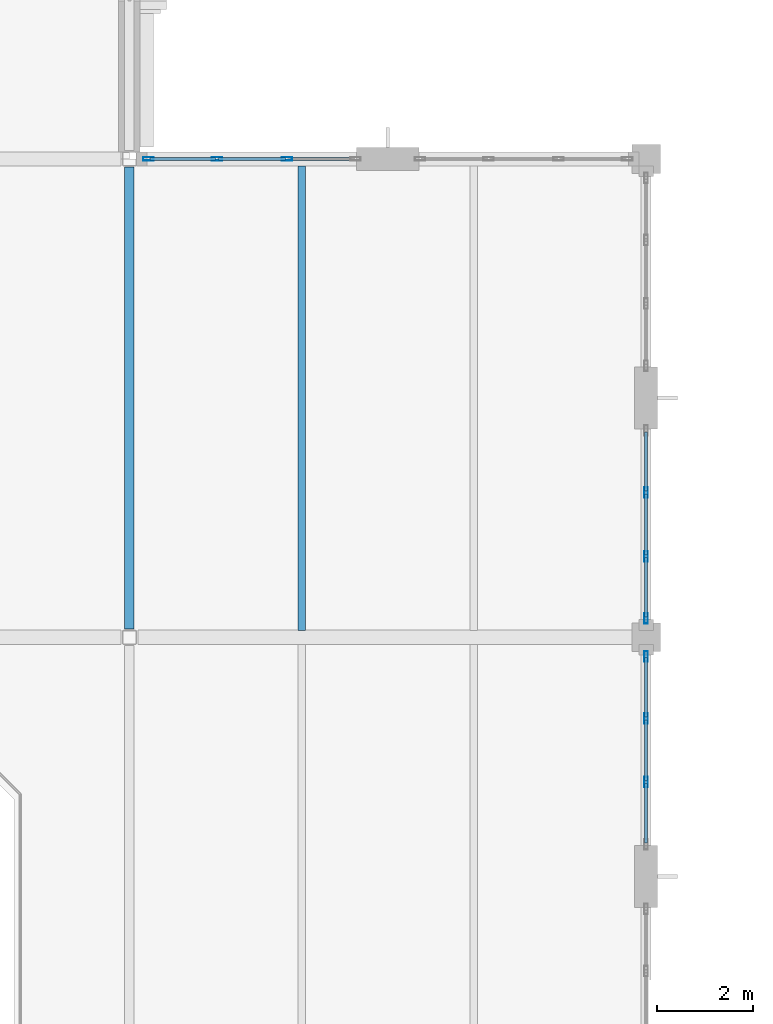
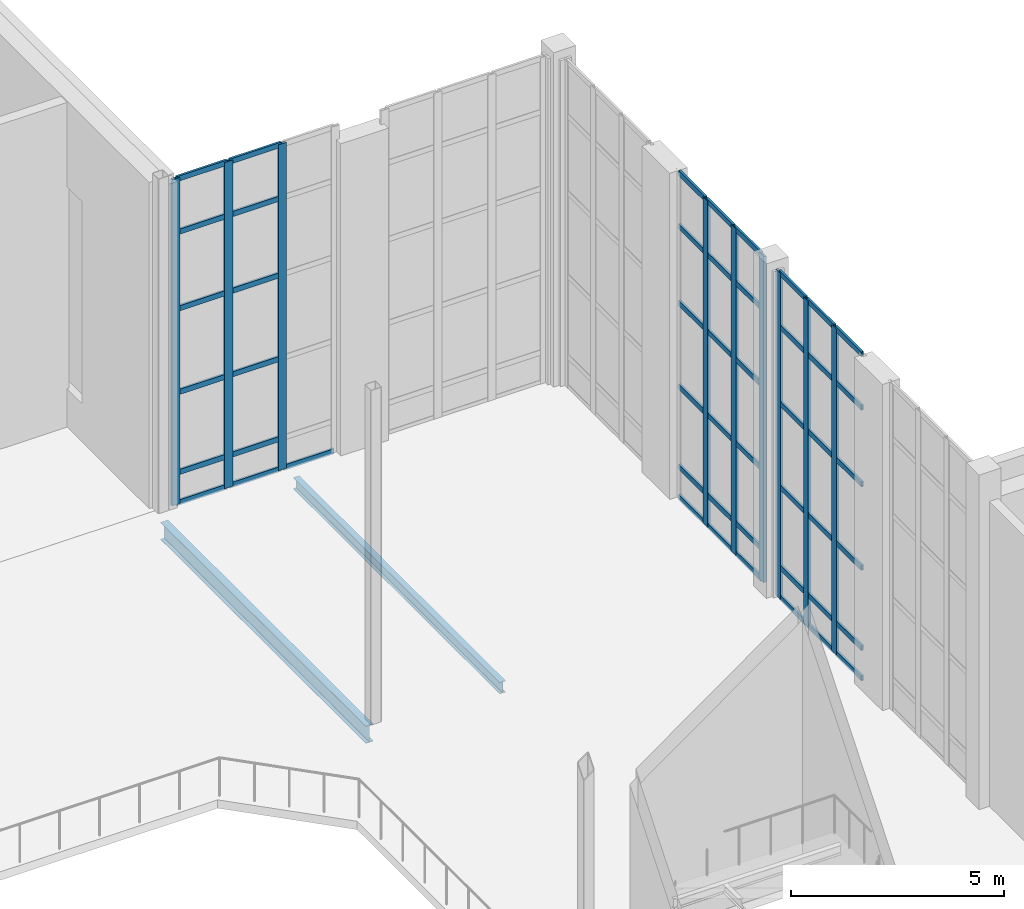
# One storey, part 42 of 100: 58 members, 2 beams, 3 elements without a shape of their own.
"""IFC4 building model written with IfcOpenShell, lengths in metres."""

from ifc_helpers import new_model, si_unit, direction, frame, origin, origin_2d, place, context, subcontext, project, spatial, hollow_rectangle, i_section, extrude, material, layer, layer_set, material_profile, profile_set, type_object, element, aggregate, save


model = new_model("IFC4")

# Units and contexts
model_context = context("Model", 3, precision=1e-05, world=origin(), true_north=direction((0.0, 1.0)))
body_context = subcontext(model_context, "Body", "Model", "MODEL_VIEW")
ifc_project = project(units=[si_unit("LENGTHUNIT", "METRE"), si_unit("AREAUNIT", "SQUARE_METRE"), si_unit("VOLUMEUNIT", "CUBIC_METRE"), si_unit("PLANEANGLEUNIT", "RADIAN"), si_unit("MASSUNIT", "GRAM", prefix="KILO")], contexts=[model_context])

# Site, building, storey
site_placement = place(None, origin())
site = spatial("IfcSite", under=ifc_project, at=site_placement, CompositionType="ELEMENT")
building_placement = place(site_placement, origin())
building = spatial("IfcBuilding", under=site, at=building_placement, Name="Tasgan Crest Museum", CompositionType="ELEMENT")
storey_placement = place(building_placement, frame((0.0, 0.0, 14.39990234375)))
storey = spatial("IfcBuildingStorey", under=building, at=storey_placement, Name="L03", CompositionType="ELEMENT", Elevation=14.39990234375)

# Beams
ifc_material_1 = material(Name="Steel S355J2", Category="steel")
ifc_material_profile_1 = material_profile(ifc_material_1, i_section(OverallWidth=0.199951171875, OverallDepth=0.5, WebThickness=0.01025390625, FlangeThickness=0.01611328125, FilletRadius=0.02099609375, at=origin_2d()), Name="IPE 500")
ifc_profile_set_1 = profile_set([ifc_material_profile_1], Name="Steel S355J2")
beam_type_1 = type_object("IfcBeamType", Name="BM-G-IPE500", PredefinedType="BEAM", material=ifc_profile_set_1)
beam_1_placement = place(storey_placement, frame((97.199951171875, 72.1728515625, -0.489990234375), z_axis=(0.0, 1.0, 0.0), x_axis=(-1.0, 0.0, 0.0)))
element("IfcBeam", 1, at=beam_1_placement, inside=storey, type_object=beam_type_1, Name="Beam L03 10 72.0-82.0", PredefinedType="BEAM", context=body_context, shape_type="SweptSolid", body=[
    extrude(i_section(OverallWidth=0.199951171875, OverallDepth=0.5, WebThickness=0.01025390625, FlangeThickness=0.01611328125, FilletRadius=0.02099609375, at=origin_2d()), origin(), (0.0, 0.0, 1.0), 9.654296875),
])
ifc_material_2 = material(Name="Steel S355J2", Category="steel")
ifc_material_profile_2 = material_profile(ifc_material_2, i_section(OverallWidth=0.159912109375, OverallDepth=0.330078125, WebThickness=0.007568359375, FlangeThickness=0.011474609375, FilletRadius=0.01806640625, at=origin_2d()), Name="IPE 330")
ifc_profile_set_2 = profile_set([ifc_material_profile_2], Name="Steel S355J2")
beam_type_2 = type_object("IfcBeamType", Name="BM-J-IPE330", PredefinedType="JOIST", material=ifc_profile_set_2)
beam_2_placement = place(storey_placement, frame((100.800048828125, 72.14501953125, -0.40478515625), z_axis=(0.0, 1.0, 0.0), x_axis=(-1.0, 0.0, 0.0)))
element("IfcBeam", 2, at=beam_2_placement, inside=storey, type_object=beam_type_2, Name="Secondary joist L03 X=100.8 Y=72.0-82.0", PredefinedType="JOIST", context=body_context, shape_type="SweptSolid", body=[
    extrude(i_section(OverallWidth=0.159912109375, OverallDepth=0.330078125, WebThickness=0.007568359375, FlangeThickness=0.011474609375, FilletRadius=0.01806640625, at=origin_2d()), origin(), (0.0, 0.0, 1.0), 9.7099609375),
])

# Curtain wall, members
ifc_material_3 = material(Name="Triple-Glazed Aluminium Curtain Wall", Category="aluminium")
ifc_layer_1 = layer(ifc_material_3, 0.179931640625, Name="CW-DRUM-Y10-96")
ifc_layer_set_1 = layer_set([ifc_layer_1], Name="Triple-Glazed Aluminium Curtain Wall")
curtain_wall_type_1 = type_object("IfcCurtainWallType", Name="CW-DRUM-Y10-96", PredefinedType="NOTDEFINED", material=ifc_layer_set_1)
curtain_wall_1_placement = place(storey_placement, origin())
curtain_wall_1 = element("IfcCurtainWall", 3, at=curtain_wall_1_placement, inside=storey, type_object=curtain_wall_type_1, Name="Curtain wall L03 120", PredefinedType="NOTDEFINED")
ifc_material_4 = material(Name="Anodised Aluminium", Category="aluminium")
ifc_material_profile_3 = material_profile(ifc_material_4, hollow_rectangle(XDim=0.074951171875, YDim=0.219970703125, WallThickness=0.006103515625, at=origin_2d()), Name="ALU MULLION 220x75x6")
ifc_profile_set_3 = profile_set([ifc_material_profile_3], Name="Anodised Aluminium")
member_type_1 = type_object("IfcMemberType", Name="CW-MULLION-220", PredefinedType="MULLION", material=ifc_profile_set_3)
member_1_placement = place(storey_placement, frame((108.0, 68.97509765625, 0.0), z_axis=(0.0, 0.0, 1.0), x_axis=(-1.0, 0.0, 0.0)))
member_1 = element("IfcMember", 4, at=member_1_placement, type_object=member_type_1, Name="CW07 mullion 2", PredefinedType="MULLION", context=body_context, shape_type="SweptSolid", body=[
    extrude(hollow_rectangle(XDim=0.074951171875, YDim=0.219970703125, WallThickness=0.006103515625, at=origin_2d()), origin(), (0.0, 0.0, 1.0), 9.360107421875),
])
member_2_placement = place(storey_placement, frame((108.0, 70.304931640625, 0.0), z_axis=(0.0, 0.0, 1.0), x_axis=(-1.0, 0.0, 0.0)))
member_2 = element("IfcMember", 5, at=member_2_placement, type_object=member_type_1, Name="CW07 mullion 3", PredefinedType="MULLION", context=body_context, shape_type="SweptSolid", body=[
    extrude(hollow_rectangle(XDim=0.074951171875, YDim=0.219970703125, WallThickness=0.006103515625, at=origin_2d()), origin(), (0.0, 0.0, 1.0), 9.360107421875),
])
member_3_placement = place(storey_placement, frame((108.0, 71.60498046875, 0.0), z_axis=(0.0, 0.0, 1.0), x_axis=(-1.0, 0.0, 0.0)))
member_3 = element("IfcMember", 6, at=member_3_placement, type_object=member_type_1, Name="CW07 mullion 4", PredefinedType="MULLION", context=body_context, shape_type="SweptSolid", body=[
    extrude(hollow_rectangle(XDim=0.074951171875, YDim=0.219970703125, WallThickness=0.006103515625, at=origin_2d()), origin(), (0.0, 0.0, 1.0), 9.360107421875),
])

curtain_wall_2_placement = place(storey_placement, origin())
curtain_wall_2 = element("IfcCurtainWall", 7, at=curtain_wall_2_placement, inside=storey, type_object=curtain_wall_type_1, Name="Curtain wall L03 121", PredefinedType="NOTDEFINED")
member_4_placement = place(storey_placement, frame((108.0, 72.39501953125, 0.0), z_axis=(0.0, 0.0, 1.0), x_axis=(-1.0, 0.0, 0.0)))
member_4 = element("IfcMember", 8, at=member_4_placement, type_object=member_type_1, Name="CW07 mullion 1", PredefinedType="MULLION", context=body_context, shape_type="SweptSolid", body=[
    extrude(hollow_rectangle(XDim=0.074951171875, YDim=0.219970703125, WallThickness=0.006103515625, at=origin_2d()), origin(), (0.0, 0.0, 1.0), 9.360107421875),
])
member_5_placement = place(storey_placement, frame((108.0, 73.695068359375, 0.0), z_axis=(0.0, 0.0, 1.0), x_axis=(-1.0, 0.0, 0.0)))
member_5 = element("IfcMember", 9, at=member_5_placement, type_object=member_type_1, Name="CW07 mullion 2", PredefinedType="MULLION", context=body_context, shape_type="SweptSolid", body=[
    extrude(hollow_rectangle(XDim=0.074951171875, YDim=0.219970703125, WallThickness=0.006103515625, at=origin_2d()), origin(), (0.0, 0.0, 1.0), 9.360107421875),
])
member_6_placement = place(storey_placement, frame((108.0, 75.02490234375, 0.0), z_axis=(0.0, 0.0, 1.0), x_axis=(-1.0, 0.0, 0.0)))
member_6 = element("IfcMember", 10, at=member_6_placement, type_object=member_type_1, Name="CW07 mullion 3", PredefinedType="MULLION", context=body_context, shape_type="SweptSolid", body=[
    extrude(hollow_rectangle(XDim=0.074951171875, YDim=0.219970703125, WallThickness=0.006103515625, at=origin_2d()), origin(), (0.0, 0.0, 1.0), 9.360107421875),
])

ifc_material_5 = material(Name="Triple-Glazed Aluminium Curtain Wall", Category="aluminium")
ifc_layer_2 = layer(ifc_material_5, 0.179931640625, Name="CW-DRUM-X-96")
ifc_layer_set_2 = layer_set([ifc_layer_2], Name="Triple-Glazed Aluminium Curtain Wall")
curtain_wall_type_2 = type_object("IfcCurtainWallType", Name="CW-DRUM-X-96", PredefinedType="NOTDEFINED", material=ifc_layer_set_2)
curtain_wall_3_placement = place(storey_placement, origin())
curtain_wall_3 = element("IfcCurtainWall", 11, at=curtain_wall_3_placement, inside=storey, type_object=curtain_wall_type_2, Name="Curtain wall L03 124", PredefinedType="NOTDEFINED")
member_7_placement = place(storey_placement, frame((100.49169921875, 82.0, 0.0), z_axis=(0.0, 0.0, 1.0), x_axis=(0.0, -1.0, 0.0)))
member_7 = element("IfcMember", 12, at=member_7_placement, type_object=member_type_1, Name="CW06 mullion 2", PredefinedType="MULLION", context=body_context, shape_type="SweptSolid", body=[
    extrude(hollow_rectangle(XDim=0.074951171875, YDim=0.219970703125, WallThickness=0.006103515625, at=origin_2d()), origin(), (0.0, 0.0, 1.0), 9.360107421875),
])
member_8_placement = place(storey_placement, frame((99.0283203125, 82.0, 0.0), z_axis=(0.0, 0.0, 1.0), x_axis=(0.0, -1.0, 0.0)))
member_8 = element("IfcMember", 13, at=member_8_placement, type_object=member_type_1, Name="CW06 mullion 3", PredefinedType="MULLION", context=body_context, shape_type="SweptSolid", body=[
    extrude(hollow_rectangle(XDim=0.074951171875, YDim=0.219970703125, WallThickness=0.006103515625, at=origin_2d()), origin(), (0.0, 0.0, 1.0), 9.360107421875),
])
member_9_placement = place(storey_placement, frame((97.594970703125, 82.0, 0.0), z_axis=(0.0, 0.0, 1.0), x_axis=(0.0, -1.0, 0.0)))
member_9 = element("IfcMember", 14, at=member_9_placement, type_object=member_type_1, Name="CW06 mullion 4", PredefinedType="MULLION", context=body_context, shape_type="SweptSolid", body=[
    extrude(hollow_rectangle(XDim=0.074951171875, YDim=0.219970703125, WallThickness=0.006103515625, at=origin_2d()), origin(), (0.0, 0.0, 1.0), 9.360107421875),
])

# Member
ifc_material_6 = material(Name="Anodised Aluminium", Category="aluminium")
ifc_material_profile_4 = material_profile(ifc_material_6, hollow_rectangle(XDim=0.06005859375, YDim=0.14990234375, WallThickness=0.0048828125, at=origin_2d()), Name="ALU TRANSOM 150x60x5")
ifc_profile_set_4 = profile_set([ifc_material_profile_4], Name="Anodised Aluminium")
member_type_2 = type_object("IfcMemberType", Name="CW-TRANSOM-150", PredefinedType="USERDEFINED", material=ifc_profile_set_4)
member_10_placement = place(storey_placement, frame((108.0, 67.705078125, 0.030029296875), z_axis=(0.0, 1.0, 0.0), x_axis=(-1.0, 0.0, 0.0)))
member_10 = element("IfcMember", 15, at=member_10_placement, type_object=member_type_2, Name="CW07 transom 1.1", ObjectType="TRANSOM", PredefinedType="USERDEFINED", context=body_context, shape_type="SweptSolid", body=[
    extrude(hollow_rectangle(XDim=0.06005859375, YDim=0.14990234375, WallThickness=0.0048828125, at=origin_2d()), origin(), (0.0, 0.0, 1.0), 1.239990234375),
])

member_11_placement = place(storey_placement, frame((108.0, 67.705078125, 0.900146484375), z_axis=(0.0, 1.0, 0.0), x_axis=(-1.0, 0.0, 0.0)))
member_11 = element("IfcMember", 16, at=member_11_placement, type_object=member_type_2, Name="CW07 transom 1.2", ObjectType="TRANSOM", PredefinedType="USERDEFINED", context=body_context, shape_type="SweptSolid", body=[
    extrude(hollow_rectangle(XDim=0.06005859375, YDim=0.14990234375, WallThickness=0.0048828125, at=origin_2d()), origin(), (0.0, 0.0, 1.0), 1.239990234375),
])

member_12_placement = place(storey_placement, frame((108.0, 67.705078125, 3.2001953125), z_axis=(0.0, 1.0, 0.0), x_axis=(-1.0, 0.0, 0.0)))
member_12 = element("IfcMember", 17, at=member_12_placement, type_object=member_type_2, Name="CW07 transom 1.3", ObjectType="TRANSOM", PredefinedType="USERDEFINED", context=body_context, shape_type="SweptSolid", body=[
    extrude(hollow_rectangle(XDim=0.06005859375, YDim=0.14990234375, WallThickness=0.0048828125, at=origin_2d()), origin(), (0.0, 0.0, 1.0), 1.239990234375),
])

member_13_placement = place(storey_placement, frame((108.0, 67.705078125, 5.60009765625), z_axis=(0.0, 1.0, 0.0), x_axis=(-1.0, 0.0, 0.0)))
member_13 = element("IfcMember", 18, at=member_13_placement, type_object=member_type_2, Name="CW07 transom 1.4", ObjectType="TRANSOM", PredefinedType="USERDEFINED", context=body_context, shape_type="SweptSolid", body=[
    extrude(hollow_rectangle(XDim=0.06005859375, YDim=0.14990234375, WallThickness=0.0048828125, at=origin_2d()), origin(), (0.0, 0.0, 1.0), 1.239990234375),
])

member_14_placement = place(storey_placement, frame((108.0, 67.705078125, 7.800048828125), z_axis=(0.0, 1.0, 0.0), x_axis=(-1.0, 0.0, 0.0)))
member_14 = element("IfcMember", 19, at=member_14_placement, type_object=member_type_2, Name="CW07 transom 1.5", ObjectType="TRANSOM", PredefinedType="USERDEFINED", context=body_context, shape_type="SweptSolid", body=[
    extrude(hollow_rectangle(XDim=0.06005859375, YDim=0.14990234375, WallThickness=0.0048828125, at=origin_2d()), origin(), (0.0, 0.0, 1.0), 1.239990234375),
])

member_15_placement = place(storey_placement, frame((108.0, 67.705078125, 9.330078125), z_axis=(0.0, 1.0, 0.0), x_axis=(-1.0, 0.0, 0.0)))
member_15 = element("IfcMember", 20, at=member_15_placement, type_object=member_type_2, Name="CW07 transom 1.6", ObjectType="TRANSOM", PredefinedType="USERDEFINED", context=body_context, shape_type="SweptSolid", body=[
    extrude(hollow_rectangle(XDim=0.06005859375, YDim=0.14990234375, WallThickness=0.0048828125, at=origin_2d()), origin(), (0.0, 0.0, 1.0), 1.239990234375),
])

member_16_placement = place(storey_placement, frame((108.0, 69.0048828125, 0.030029296875), z_axis=(0.0, 1.0, 0.0), x_axis=(-1.0, 0.0, 0.0)))
member_16 = element("IfcMember", 21, at=member_16_placement, type_object=member_type_2, Name="CW07 transom 2.1", ObjectType="TRANSOM", PredefinedType="USERDEFINED", context=body_context, shape_type="SweptSolid", body=[
    extrude(hollow_rectangle(XDim=0.06005859375, YDim=0.14990234375, WallThickness=0.0048828125, at=origin_2d()), origin(), (0.0, 0.0, 1.0), 1.27001953125),
])

member_17_placement = place(storey_placement, frame((108.0, 69.0048828125, 0.900146484375), z_axis=(0.0, 1.0, 0.0), x_axis=(-1.0, 0.0, 0.0)))
member_17 = element("IfcMember", 22, at=member_17_placement, type_object=member_type_2, Name="CW07 transom 2.2", ObjectType="TRANSOM", PredefinedType="USERDEFINED", context=body_context, shape_type="SweptSolid", body=[
    extrude(hollow_rectangle(XDim=0.06005859375, YDim=0.14990234375, WallThickness=0.0048828125, at=origin_2d()), origin(), (0.0, 0.0, 1.0), 1.27001953125),
])

member_18_placement = place(storey_placement, frame((108.0, 69.0048828125, 3.2001953125), z_axis=(0.0, 1.0, 0.0), x_axis=(-1.0, 0.0, 0.0)))
member_18 = element("IfcMember", 23, at=member_18_placement, type_object=member_type_2, Name="CW07 transom 2.3", ObjectType="TRANSOM", PredefinedType="USERDEFINED", context=body_context, shape_type="SweptSolid", body=[
    extrude(hollow_rectangle(XDim=0.06005859375, YDim=0.14990234375, WallThickness=0.0048828125, at=origin_2d()), origin(), (0.0, 0.0, 1.0), 1.27001953125),
])

member_19_placement = place(storey_placement, frame((108.0, 69.0048828125, 5.60009765625), z_axis=(0.0, 1.0, 0.0), x_axis=(-1.0, 0.0, 0.0)))
member_19 = element("IfcMember", 24, at=member_19_placement, type_object=member_type_2, Name="CW07 transom 2.4", ObjectType="TRANSOM", PredefinedType="USERDEFINED", context=body_context, shape_type="SweptSolid", body=[
    extrude(hollow_rectangle(XDim=0.06005859375, YDim=0.14990234375, WallThickness=0.0048828125, at=origin_2d()), origin(), (0.0, 0.0, 1.0), 1.27001953125),
])

member_20_placement = place(storey_placement, frame((108.0, 69.0048828125, 7.800048828125), z_axis=(0.0, 1.0, 0.0), x_axis=(-1.0, 0.0, 0.0)))
member_20 = element("IfcMember", 25, at=member_20_placement, type_object=member_type_2, Name="CW07 transom 2.5", ObjectType="TRANSOM", PredefinedType="USERDEFINED", context=body_context, shape_type="SweptSolid", body=[
    extrude(hollow_rectangle(XDim=0.06005859375, YDim=0.14990234375, WallThickness=0.0048828125, at=origin_2d()), origin(), (0.0, 0.0, 1.0), 1.27001953125),
])

member_21_placement = place(storey_placement, frame((108.0, 69.0048828125, 9.330078125), z_axis=(0.0, 1.0, 0.0), x_axis=(-1.0, 0.0, 0.0)))
member_21 = element("IfcMember", 26, at=member_21_placement, type_object=member_type_2, Name="CW07 transom 2.6", ObjectType="TRANSOM", PredefinedType="USERDEFINED", context=body_context, shape_type="SweptSolid", body=[
    extrude(hollow_rectangle(XDim=0.06005859375, YDim=0.14990234375, WallThickness=0.0048828125, at=origin_2d()), origin(), (0.0, 0.0, 1.0), 1.27001953125),
])

member_22_placement = place(storey_placement, frame((108.0, 70.3349609375, 0.030029296875), z_axis=(0.0, 1.0, 0.0), x_axis=(-1.0, 0.0, 0.0)))
member_22 = element("IfcMember", 27, at=member_22_placement, type_object=member_type_2, Name="CW07 transom 3.1", ObjectType="TRANSOM", PredefinedType="USERDEFINED", context=body_context, shape_type="SweptSolid", body=[
    extrude(hollow_rectangle(XDim=0.06005859375, YDim=0.14990234375, WallThickness=0.0048828125, at=origin_2d()), origin(), (0.0, 0.0, 1.0), 1.239990234375),
])

member_23_placement = place(storey_placement, frame((108.0, 70.3349609375, 0.900146484375), z_axis=(0.0, 1.0, 0.0), x_axis=(-1.0, 0.0, 0.0)))
member_23 = element("IfcMember", 28, at=member_23_placement, type_object=member_type_2, Name="CW07 transom 3.2", ObjectType="TRANSOM", PredefinedType="USERDEFINED", context=body_context, shape_type="SweptSolid", body=[
    extrude(hollow_rectangle(XDim=0.06005859375, YDim=0.14990234375, WallThickness=0.0048828125, at=origin_2d()), origin(), (0.0, 0.0, 1.0), 1.239990234375),
])

member_24_placement = place(storey_placement, frame((108.0, 70.3349609375, 3.2001953125), z_axis=(0.0, 1.0, 0.0), x_axis=(-1.0, 0.0, 0.0)))
member_24 = element("IfcMember", 29, at=member_24_placement, type_object=member_type_2, Name="CW07 transom 3.3", ObjectType="TRANSOM", PredefinedType="USERDEFINED", context=body_context, shape_type="SweptSolid", body=[
    extrude(hollow_rectangle(XDim=0.06005859375, YDim=0.14990234375, WallThickness=0.0048828125, at=origin_2d()), origin(), (0.0, 0.0, 1.0), 1.239990234375),
])

member_25_placement = place(storey_placement, frame((108.0, 70.3349609375, 5.60009765625), z_axis=(0.0, 1.0, 0.0), x_axis=(-1.0, 0.0, 0.0)))
member_25 = element("IfcMember", 30, at=member_25_placement, type_object=member_type_2, Name="CW07 transom 3.4", ObjectType="TRANSOM", PredefinedType="USERDEFINED", context=body_context, shape_type="SweptSolid", body=[
    extrude(hollow_rectangle(XDim=0.06005859375, YDim=0.14990234375, WallThickness=0.0048828125, at=origin_2d()), origin(), (0.0, 0.0, 1.0), 1.239990234375),
])

member_26_placement = place(storey_placement, frame((108.0, 70.3349609375, 7.800048828125), z_axis=(0.0, 1.0, 0.0), x_axis=(-1.0, 0.0, 0.0)))
member_26 = element("IfcMember", 31, at=member_26_placement, type_object=member_type_2, Name="CW07 transom 3.5", ObjectType="TRANSOM", PredefinedType="USERDEFINED", context=body_context, shape_type="SweptSolid", body=[
    extrude(hollow_rectangle(XDim=0.06005859375, YDim=0.14990234375, WallThickness=0.0048828125, at=origin_2d()), origin(), (0.0, 0.0, 1.0), 1.239990234375),
])

member_27_placement = place(storey_placement, frame((108.0, 70.3349609375, 9.330078125), z_axis=(0.0, 1.0, 0.0), x_axis=(-1.0, 0.0, 0.0)))
member_27 = element("IfcMember", 32, at=member_27_placement, type_object=member_type_2, Name="CW07 transom 3.6", ObjectType="TRANSOM", PredefinedType="USERDEFINED", context=body_context, shape_type="SweptSolid", body=[
    extrude(hollow_rectangle(XDim=0.06005859375, YDim=0.14990234375, WallThickness=0.0048828125, at=origin_2d()), origin(), (0.0, 0.0, 1.0), 1.239990234375),
])

aggregate(curtain_wall_1, [member_1, member_2, member_3, member_10, member_11, member_12, member_13, member_14, member_15, member_16, member_17, member_18, member_19, member_20, member_21, member_22, member_23, member_24, member_25, member_26, member_27])

member_28_placement = place(storey_placement, frame((108.0, 72.425048828125, 0.030029296875), z_axis=(0.0, 1.0, 0.0), x_axis=(-1.0, 0.0, 0.0)))
member_28 = element("IfcMember", 33, at=member_28_placement, type_object=member_type_2, Name="CW07 transom 1.1", ObjectType="TRANSOM", PredefinedType="USERDEFINED", context=body_context, shape_type="SweptSolid", body=[
    extrude(hollow_rectangle(XDim=0.06005859375, YDim=0.14990234375, WallThickness=0.0048828125, at=origin_2d()), origin(), (0.0, 0.0, 1.0), 1.239990234375),
])

member_29_placement = place(storey_placement, frame((108.0, 72.425048828125, 0.900146484375), z_axis=(0.0, 1.0, 0.0), x_axis=(-1.0, 0.0, 0.0)))
member_29 = element("IfcMember", 34, at=member_29_placement, type_object=member_type_2, Name="CW07 transom 1.2", ObjectType="TRANSOM", PredefinedType="USERDEFINED", context=body_context, shape_type="SweptSolid", body=[
    extrude(hollow_rectangle(XDim=0.06005859375, YDim=0.14990234375, WallThickness=0.0048828125, at=origin_2d()), origin(), (0.0, 0.0, 1.0), 1.239990234375),
])

member_30_placement = place(storey_placement, frame((108.0, 72.425048828125, 3.2001953125), z_axis=(0.0, 1.0, 0.0), x_axis=(-1.0, 0.0, 0.0)))
member_30 = element("IfcMember", 35, at=member_30_placement, type_object=member_type_2, Name="CW07 transom 1.3", ObjectType="TRANSOM", PredefinedType="USERDEFINED", context=body_context, shape_type="SweptSolid", body=[
    extrude(hollow_rectangle(XDim=0.06005859375, YDim=0.14990234375, WallThickness=0.0048828125, at=origin_2d()), origin(), (0.0, 0.0, 1.0), 1.239990234375),
])

member_31_placement = place(storey_placement, frame((108.0, 72.425048828125, 5.60009765625), z_axis=(0.0, 1.0, 0.0), x_axis=(-1.0, 0.0, 0.0)))
member_31 = element("IfcMember", 36, at=member_31_placement, type_object=member_type_2, Name="CW07 transom 1.4", ObjectType="TRANSOM", PredefinedType="USERDEFINED", context=body_context, shape_type="SweptSolid", body=[
    extrude(hollow_rectangle(XDim=0.06005859375, YDim=0.14990234375, WallThickness=0.0048828125, at=origin_2d()), origin(), (0.0, 0.0, 1.0), 1.239990234375),
])

member_32_placement = place(storey_placement, frame((108.0, 72.425048828125, 7.800048828125), z_axis=(0.0, 1.0, 0.0), x_axis=(-1.0, 0.0, 0.0)))
member_32 = element("IfcMember", 37, at=member_32_placement, type_object=member_type_2, Name="CW07 transom 1.5", ObjectType="TRANSOM", PredefinedType="USERDEFINED", context=body_context, shape_type="SweptSolid", body=[
    extrude(hollow_rectangle(XDim=0.06005859375, YDim=0.14990234375, WallThickness=0.0048828125, at=origin_2d()), origin(), (0.0, 0.0, 1.0), 1.239990234375),
])

member_33_placement = place(storey_placement, frame((108.0, 72.425048828125, 9.330078125), z_axis=(0.0, 1.0, 0.0), x_axis=(-1.0, 0.0, 0.0)))
member_33 = element("IfcMember", 38, at=member_33_placement, type_object=member_type_2, Name="CW07 transom 1.6", ObjectType="TRANSOM", PredefinedType="USERDEFINED", context=body_context, shape_type="SweptSolid", body=[
    extrude(hollow_rectangle(XDim=0.06005859375, YDim=0.14990234375, WallThickness=0.0048828125, at=origin_2d()), origin(), (0.0, 0.0, 1.0), 1.239990234375),
])

member_34_placement = place(storey_placement, frame((108.0, 73.72509765625, 0.030029296875), z_axis=(0.0, 1.0, 0.0), x_axis=(-1.0, 0.0, 0.0)))
member_34 = element("IfcMember", 39, at=member_34_placement, type_object=member_type_2, Name="CW07 transom 2.1", ObjectType="TRANSOM", PredefinedType="USERDEFINED", context=body_context, shape_type="SweptSolid", body=[
    extrude(hollow_rectangle(XDim=0.06005859375, YDim=0.14990234375, WallThickness=0.0048828125, at=origin_2d()), origin(), (0.0, 0.0, 1.0), 1.27001953125),
])

member_35_placement = place(storey_placement, frame((108.0, 73.72509765625, 0.900146484375), z_axis=(0.0, 1.0, 0.0), x_axis=(-1.0, 0.0, 0.0)))
member_35 = element("IfcMember", 40, at=member_35_placement, type_object=member_type_2, Name="CW07 transom 2.2", ObjectType="TRANSOM", PredefinedType="USERDEFINED", context=body_context, shape_type="SweptSolid", body=[
    extrude(hollow_rectangle(XDim=0.06005859375, YDim=0.14990234375, WallThickness=0.0048828125, at=origin_2d()), origin(), (0.0, 0.0, 1.0), 1.27001953125),
])

member_36_placement = place(storey_placement, frame((108.0, 73.72509765625, 3.2001953125), z_axis=(0.0, 1.0, 0.0), x_axis=(-1.0, 0.0, 0.0)))
member_36 = element("IfcMember", 41, at=member_36_placement, type_object=member_type_2, Name="CW07 transom 2.3", ObjectType="TRANSOM", PredefinedType="USERDEFINED", context=body_context, shape_type="SweptSolid", body=[
    extrude(hollow_rectangle(XDim=0.06005859375, YDim=0.14990234375, WallThickness=0.0048828125, at=origin_2d()), origin(), (0.0, 0.0, 1.0), 1.27001953125),
])

member_37_placement = place(storey_placement, frame((108.0, 73.72509765625, 5.60009765625), z_axis=(0.0, 1.0, 0.0), x_axis=(-1.0, 0.0, 0.0)))
member_37 = element("IfcMember", 42, at=member_37_placement, type_object=member_type_2, Name="CW07 transom 2.4", ObjectType="TRANSOM", PredefinedType="USERDEFINED", context=body_context, shape_type="SweptSolid", body=[
    extrude(hollow_rectangle(XDim=0.06005859375, YDim=0.14990234375, WallThickness=0.0048828125, at=origin_2d()), origin(), (0.0, 0.0, 1.0), 1.27001953125),
])

member_38_placement = place(storey_placement, frame((108.0, 73.72509765625, 7.800048828125), z_axis=(0.0, 1.0, 0.0), x_axis=(-1.0, 0.0, 0.0)))
member_38 = element("IfcMember", 43, at=member_38_placement, type_object=member_type_2, Name="CW07 transom 2.5", ObjectType="TRANSOM", PredefinedType="USERDEFINED", context=body_context, shape_type="SweptSolid", body=[
    extrude(hollow_rectangle(XDim=0.06005859375, YDim=0.14990234375, WallThickness=0.0048828125, at=origin_2d()), origin(), (0.0, 0.0, 1.0), 1.27001953125),
])

member_39_placement = place(storey_placement, frame((108.0, 73.72509765625, 9.330078125), z_axis=(0.0, 1.0, 0.0), x_axis=(-1.0, 0.0, 0.0)))
member_39 = element("IfcMember", 44, at=member_39_placement, type_object=member_type_2, Name="CW07 transom 2.6", ObjectType="TRANSOM", PredefinedType="USERDEFINED", context=body_context, shape_type="SweptSolid", body=[
    extrude(hollow_rectangle(XDim=0.06005859375, YDim=0.14990234375, WallThickness=0.0048828125, at=origin_2d()), origin(), (0.0, 0.0, 1.0), 1.27001953125),
])

member_40_placement = place(storey_placement, frame((108.0, 75.054931640625, 0.030029296875), z_axis=(0.0, 1.0, 0.0), x_axis=(-1.0, 0.0, 0.0)))
member_40 = element("IfcMember", 45, at=member_40_placement, type_object=member_type_2, Name="CW07 transom 3.1", ObjectType="TRANSOM", PredefinedType="USERDEFINED", context=body_context, shape_type="SweptSolid", body=[
    extrude(hollow_rectangle(XDim=0.06005859375, YDim=0.14990234375, WallThickness=0.0048828125, at=origin_2d()), origin(), (0.0, 0.0, 1.0), 1.239990234375),
])

member_41_placement = place(storey_placement, frame((108.0, 75.054931640625, 0.900146484375), z_axis=(0.0, 1.0, 0.0), x_axis=(-1.0, 0.0, 0.0)))
member_41 = element("IfcMember", 46, at=member_41_placement, type_object=member_type_2, Name="CW07 transom 3.2", ObjectType="TRANSOM", PredefinedType="USERDEFINED", context=body_context, shape_type="SweptSolid", body=[
    extrude(hollow_rectangle(XDim=0.06005859375, YDim=0.14990234375, WallThickness=0.0048828125, at=origin_2d()), origin(), (0.0, 0.0, 1.0), 1.239990234375),
])

member_42_placement = place(storey_placement, frame((108.0, 75.054931640625, 3.2001953125), z_axis=(0.0, 1.0, 0.0), x_axis=(-1.0, 0.0, 0.0)))
member_42 = element("IfcMember", 47, at=member_42_placement, type_object=member_type_2, Name="CW07 transom 3.3", ObjectType="TRANSOM", PredefinedType="USERDEFINED", context=body_context, shape_type="SweptSolid", body=[
    extrude(hollow_rectangle(XDim=0.06005859375, YDim=0.14990234375, WallThickness=0.0048828125, at=origin_2d()), origin(), (0.0, 0.0, 1.0), 1.239990234375),
])

member_43_placement = place(storey_placement, frame((108.0, 75.054931640625, 5.60009765625), z_axis=(0.0, 1.0, 0.0), x_axis=(-1.0, 0.0, 0.0)))
member_43 = element("IfcMember", 48, at=member_43_placement, type_object=member_type_2, Name="CW07 transom 3.4", ObjectType="TRANSOM", PredefinedType="USERDEFINED", context=body_context, shape_type="SweptSolid", body=[
    extrude(hollow_rectangle(XDim=0.06005859375, YDim=0.14990234375, WallThickness=0.0048828125, at=origin_2d()), origin(), (0.0, 0.0, 1.0), 1.239990234375),
])

member_44_placement = place(storey_placement, frame((108.0, 75.054931640625, 7.800048828125), z_axis=(0.0, 1.0, 0.0), x_axis=(-1.0, 0.0, 0.0)))
member_44 = element("IfcMember", 49, at=member_44_placement, type_object=member_type_2, Name="CW07 transom 3.5", ObjectType="TRANSOM", PredefinedType="USERDEFINED", context=body_context, shape_type="SweptSolid", body=[
    extrude(hollow_rectangle(XDim=0.06005859375, YDim=0.14990234375, WallThickness=0.0048828125, at=origin_2d()), origin(), (0.0, 0.0, 1.0), 1.239990234375),
])

member_45_placement = place(storey_placement, frame((108.0, 75.054931640625, 9.330078125), z_axis=(0.0, 1.0, 0.0), x_axis=(-1.0, 0.0, 0.0)))
member_45 = element("IfcMember", 50, at=member_45_placement, type_object=member_type_2, Name="CW07 transom 3.6", ObjectType="TRANSOM", PredefinedType="USERDEFINED", context=body_context, shape_type="SweptSolid", body=[
    extrude(hollow_rectangle(XDim=0.06005859375, YDim=0.14990234375, WallThickness=0.0048828125, at=origin_2d()), origin(), (0.0, 0.0, 1.0), 1.239990234375),
])

aggregate(curtain_wall_2, [member_4, member_5, member_6, member_28, member_29, member_30, member_31, member_32, member_33, member_34, member_35, member_36, member_37, member_38, member_39, member_40, member_41, member_42, member_43, member_44, member_45])

member_46_placement = place(storey_placement, frame((101.89501953125, 82.0, 0.030029296875), z_axis=(-1.0, 0.0, 0.0), x_axis=(0.0, -1.0, 0.0)))
member_46 = element("IfcMember", 51, at=member_46_placement, type_object=member_type_2, Name="CW06 transom 1.1", ObjectType="TRANSOM", PredefinedType="USERDEFINED", context=body_context, shape_type="SweptSolid", body=[
    extrude(hollow_rectangle(XDim=0.06005859375, YDim=0.14990234375, WallThickness=0.0048828125, at=origin_2d()), origin(), (0.0, 0.0, 1.0), 1.373291015625),
])

member_47_placement = place(storey_placement, frame((100.461669921875, 82.0, 0.030029296875), z_axis=(-1.0, 0.0, 0.0), x_axis=(0.0, -1.0, 0.0)))
member_47 = element("IfcMember", 52, at=member_47_placement, type_object=member_type_2, Name="CW06 transom 2.1", ObjectType="TRANSOM", PredefinedType="USERDEFINED", context=body_context, shape_type="SweptSolid", body=[
    extrude(hollow_rectangle(XDim=0.06005859375, YDim=0.14990234375, WallThickness=0.0048828125, at=origin_2d()), origin(), (0.0, 0.0, 1.0), 1.4033203125),
])

member_48_placement = place(storey_placement, frame((100.461669921875, 82.0, 0.900146484375), z_axis=(-1.0, 0.0, 0.0), x_axis=(0.0, -1.0, 0.0)))
member_48 = element("IfcMember", 53, at=member_48_placement, type_object=member_type_2, Name="CW06 transom 2.2", ObjectType="TRANSOM", PredefinedType="USERDEFINED", context=body_context, shape_type="SweptSolid", body=[
    extrude(hollow_rectangle(XDim=0.06005859375, YDim=0.14990234375, WallThickness=0.0048828125, at=origin_2d()), origin(), (0.0, 0.0, 1.0), 1.4033203125),
])

member_49_placement = place(storey_placement, frame((100.461669921875, 82.0, 3.2001953125), z_axis=(-1.0, 0.0, 0.0), x_axis=(0.0, -1.0, 0.0)))
member_49 = element("IfcMember", 54, at=member_49_placement, type_object=member_type_2, Name="CW06 transom 2.3", ObjectType="TRANSOM", PredefinedType="USERDEFINED", context=body_context, shape_type="SweptSolid", body=[
    extrude(hollow_rectangle(XDim=0.06005859375, YDim=0.14990234375, WallThickness=0.0048828125, at=origin_2d()), origin(), (0.0, 0.0, 1.0), 1.4033203125),
])

member_50_placement = place(storey_placement, frame((100.461669921875, 82.0, 5.60009765625), z_axis=(-1.0, 0.0, 0.0), x_axis=(0.0, -1.0, 0.0)))
member_50 = element("IfcMember", 55, at=member_50_placement, type_object=member_type_2, Name="CW06 transom 2.4", ObjectType="TRANSOM", PredefinedType="USERDEFINED", context=body_context, shape_type="SweptSolid", body=[
    extrude(hollow_rectangle(XDim=0.06005859375, YDim=0.14990234375, WallThickness=0.0048828125, at=origin_2d()), origin(), (0.0, 0.0, 1.0), 1.4033203125),
])

member_51_placement = place(storey_placement, frame((100.461669921875, 82.0, 7.800048828125), z_axis=(-1.0, 0.0, 0.0), x_axis=(0.0, -1.0, 0.0)))
member_51 = element("IfcMember", 56, at=member_51_placement, type_object=member_type_2, Name="CW06 transom 2.5", ObjectType="TRANSOM", PredefinedType="USERDEFINED", context=body_context, shape_type="SweptSolid", body=[
    extrude(hollow_rectangle(XDim=0.06005859375, YDim=0.14990234375, WallThickness=0.0048828125, at=origin_2d()), origin(), (0.0, 0.0, 1.0), 1.4033203125),
])

member_52_placement = place(storey_placement, frame((100.461669921875, 82.0, 9.330078125), z_axis=(-1.0, 0.0, 0.0), x_axis=(0.0, -1.0, 0.0)))
member_52 = element("IfcMember", 57, at=member_52_placement, type_object=member_type_2, Name="CW06 transom 2.6", ObjectType="TRANSOM", PredefinedType="USERDEFINED", context=body_context, shape_type="SweptSolid", body=[
    extrude(hollow_rectangle(XDim=0.06005859375, YDim=0.14990234375, WallThickness=0.0048828125, at=origin_2d()), origin(), (0.0, 0.0, 1.0), 1.4033203125),
])

member_53_placement = place(storey_placement, frame((98.998291015625, 82.0, 0.030029296875), z_axis=(-1.0, 0.0, 0.0), x_axis=(0.0, -1.0, 0.0)))
member_53 = element("IfcMember", 58, at=member_53_placement, type_object=member_type_2, Name="CW06 transom 3.1", ObjectType="TRANSOM", PredefinedType="USERDEFINED", context=body_context, shape_type="SweptSolid", body=[
    extrude(hollow_rectangle(XDim=0.06005859375, YDim=0.14990234375, WallThickness=0.0048828125, at=origin_2d()), origin(), (0.0, 0.0, 1.0), 1.373291015625),
])

member_54_placement = place(storey_placement, frame((98.998291015625, 82.0, 0.900146484375), z_axis=(-1.0, 0.0, 0.0), x_axis=(0.0, -1.0, 0.0)))
member_54 = element("IfcMember", 59, at=member_54_placement, type_object=member_type_2, Name="CW06 transom 3.2", ObjectType="TRANSOM", PredefinedType="USERDEFINED", context=body_context, shape_type="SweptSolid", body=[
    extrude(hollow_rectangle(XDim=0.06005859375, YDim=0.14990234375, WallThickness=0.0048828125, at=origin_2d()), origin(), (0.0, 0.0, 1.0), 1.373291015625),
])

member_55_placement = place(storey_placement, frame((98.998291015625, 82.0, 3.2001953125), z_axis=(-1.0, 0.0, 0.0), x_axis=(0.0, -1.0, 0.0)))
member_55 = element("IfcMember", 60, at=member_55_placement, type_object=member_type_2, Name="CW06 transom 3.3", ObjectType="TRANSOM", PredefinedType="USERDEFINED", context=body_context, shape_type="SweptSolid", body=[
    extrude(hollow_rectangle(XDim=0.06005859375, YDim=0.14990234375, WallThickness=0.0048828125, at=origin_2d()), origin(), (0.0, 0.0, 1.0), 1.373291015625),
])

member_56_placement = place(storey_placement, frame((98.998291015625, 82.0, 5.60009765625), z_axis=(-1.0, 0.0, 0.0), x_axis=(0.0, -1.0, 0.0)))
member_56 = element("IfcMember", 61, at=member_56_placement, type_object=member_type_2, Name="CW06 transom 3.4", ObjectType="TRANSOM", PredefinedType="USERDEFINED", context=body_context, shape_type="SweptSolid", body=[
    extrude(hollow_rectangle(XDim=0.06005859375, YDim=0.14990234375, WallThickness=0.0048828125, at=origin_2d()), origin(), (0.0, 0.0, 1.0), 1.373291015625),
])

member_57_placement = place(storey_placement, frame((98.998291015625, 82.0, 7.800048828125), z_axis=(-1.0, 0.0, 0.0), x_axis=(0.0, -1.0, 0.0)))
member_57 = element("IfcMember", 62, at=member_57_placement, type_object=member_type_2, Name="CW06 transom 3.5", ObjectType="TRANSOM", PredefinedType="USERDEFINED", context=body_context, shape_type="SweptSolid", body=[
    extrude(hollow_rectangle(XDim=0.06005859375, YDim=0.14990234375, WallThickness=0.0048828125, at=origin_2d()), origin(), (0.0, 0.0, 1.0), 1.373291015625),
])

member_58_placement = place(storey_placement, frame((98.998291015625, 82.0, 9.330078125), z_axis=(-1.0, 0.0, 0.0), x_axis=(0.0, -1.0, 0.0)))
member_58 = element("IfcMember", 63, at=member_58_placement, type_object=member_type_2, Name="CW06 transom 3.6", ObjectType="TRANSOM", PredefinedType="USERDEFINED", context=body_context, shape_type="SweptSolid", body=[
    extrude(hollow_rectangle(XDim=0.06005859375, YDim=0.14990234375, WallThickness=0.0048828125, at=origin_2d()), origin(), (0.0, 0.0, 1.0), 1.373291015625),
])

aggregate(curtain_wall_3, [member_7, member_8, member_9, member_46, member_47, member_48, member_49, member_50, member_51, member_52, member_53, member_54, member_55, member_56, member_57, member_58])

save(model, "model.ifc")
